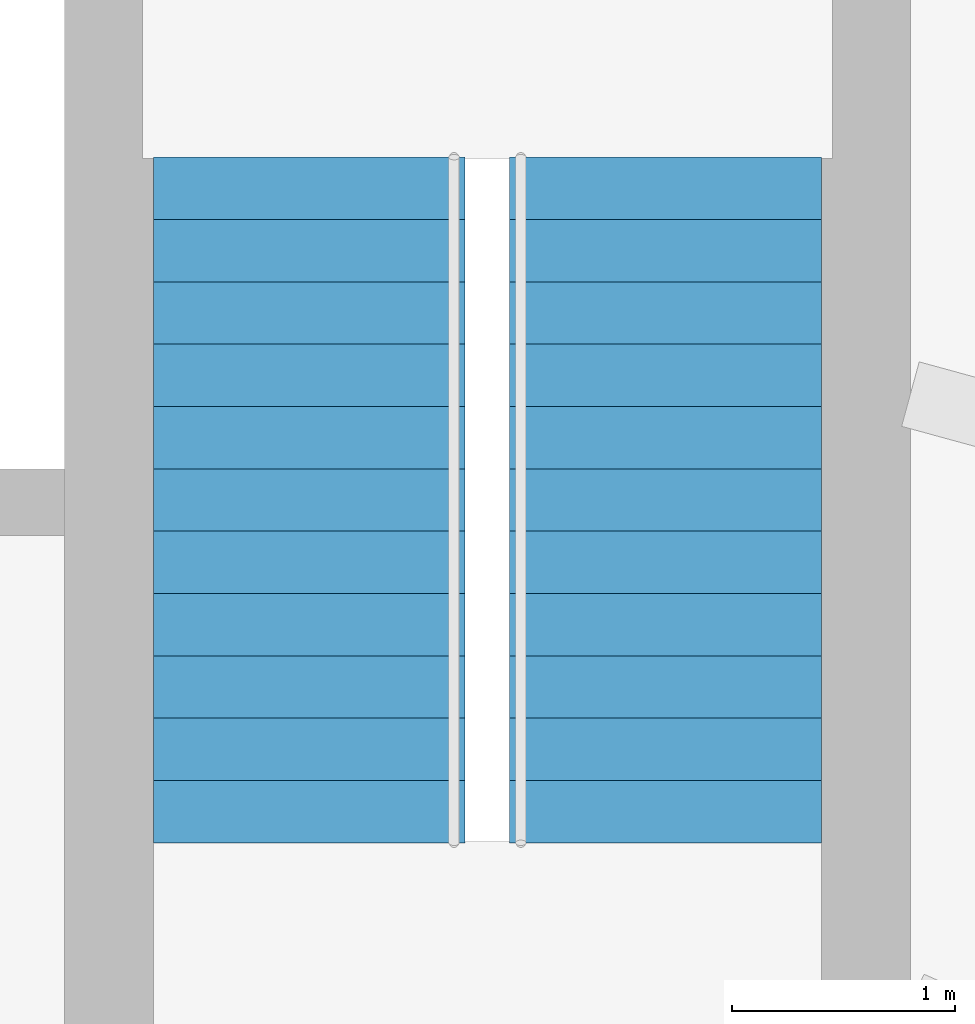
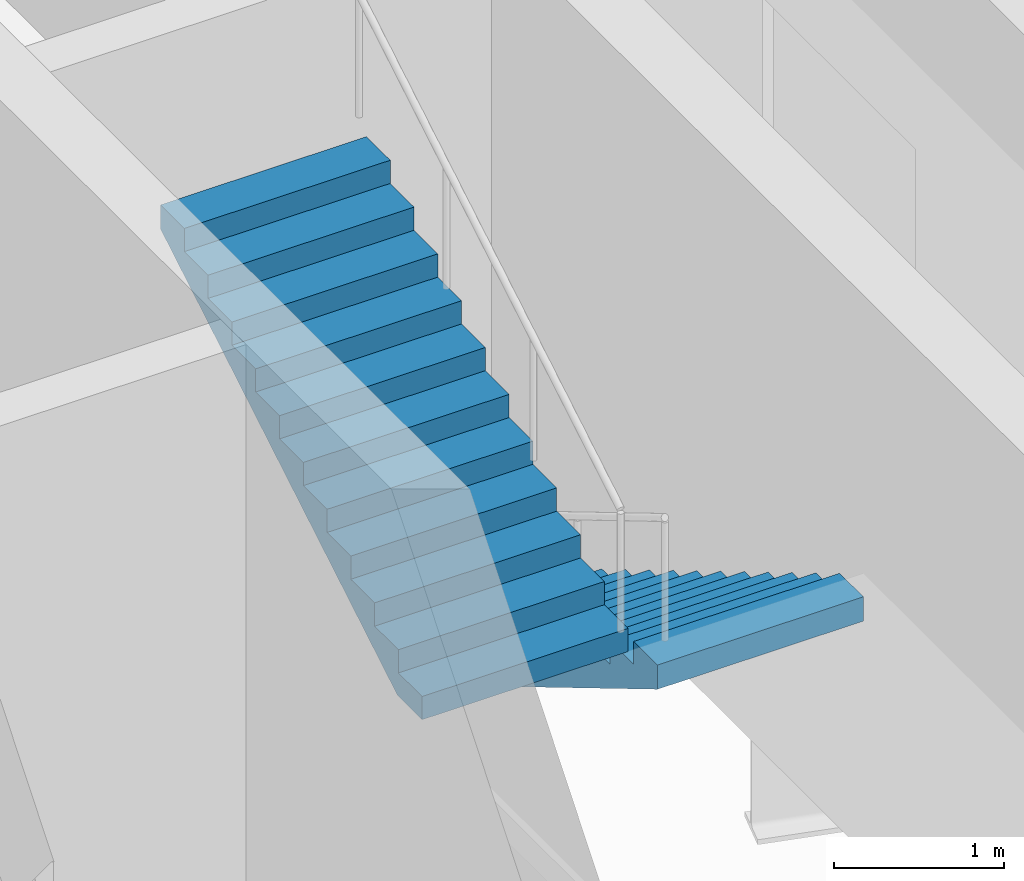
# One storey, part 6 of 7: 2 stair flights, 1 element without a shape of its own.
"""IFC4 building model written with IfcOpenShell, lengths in metres."""

from ifc_helpers import new_model, si_unit, direction, frame, origin, place, context, subcontext, project, spatial, polyline, outline, extrude, material, type_object, element, aggregate, save


model = new_model("IFC4")

# Units and contexts
model_context = context("Model", 3, precision=1e-05, world=origin(), true_north=direction((0.0, 1.0)))
body_context = subcontext(model_context, "Body", "Model", "MODEL_VIEW")
ifc_project = project(units=[si_unit("LENGTHUNIT", "METRE"), si_unit("AREAUNIT", "SQUARE_METRE"), si_unit("VOLUMEUNIT", "CUBIC_METRE"), si_unit("PLANEANGLEUNIT", "RADIAN"), si_unit("MASSUNIT", "GRAM", prefix="KILO")], contexts=[model_context])

# Site, building, storey
site_placement = place(None, origin())
site = spatial("IfcSite", under=ifc_project, at=site_placement, CompositionType="ELEMENT")
building_placement = place(site_placement, origin())
building = spatial("IfcBuilding", under=site, at=building_placement, Name="Golbaran Civic Tower", CompositionType="ELEMENT")
storey_placement = place(building_placement, frame((0.0, 0.0, 268.0)))
storey = spatial("IfcBuildingStorey", under=building, at=storey_placement, Name="L65", CompositionType="ELEMENT", Elevation=268.0)

# Stair, stair flights
ifc_material = material(Name="Concrete C35/45", Category="concrete")
stair_type = type_object("IfcStairType", Name="EXIT STAIR 3000 x 7850, 4000 RISE", PredefinedType="HALF_TURN_STAIR", material=ifc_material)
stair_placement = place(storey_placement, origin())
stair = element("IfcStair", 1, at=stair_placement, inside=storey, type_object=stair_type, Name="Stair S2 L65", PredefinedType="HALF_TURN_STAIR")
stair_flight_type = type_object("IfcStairFlightType", Name="STAIR FLIGHT 1400 WIDE", PredefinedType="STRAIGHT", material=ifc_material)
stair_flight_1_placement = place(storey_placement, frame((8.89990234375, -3.050048828125, 0.0), z_axis=(0.0, 0.0, 1.0), x_axis=(0.0, -1.0, 0.0)))
stair_flight_1 = element("IfcStairFlight", 2, at=stair_flight_1_placement, type_object=stair_flight_type, Name="ST30078-40 flight 1", NumberOfRisers=12, NumberOfTreads=11, PredefinedType="STRAIGHT", RiserHeight=0.166666667, TreadLength=0.28, context=body_context, shape_type="SweptSolid", body=[
    extrude(outline(polyline([(0.0, 0.0), (0.0, 0.166748046875), (0.280029296875, 0.166748046875), (0.280029296875, 0.333251953125), (0.56005859375, 0.333251953125), (0.56005859375, 0.5), (0.840087890625, 0.5), (0.840087890625, 0.666748046875), (1.1201171875, 0.666748046875), (1.1201171875, 0.833251953125), (1.39990234375, 0.833251953125), (1.39990234375, 1.0), (1.679931640625, 1.0), (1.679931640625, 1.166748046875), (1.9599609375, 1.166748046875), (1.9599609375, 1.333251953125), (2.239990234375, 1.333251953125), (2.239990234375, 1.5), (2.52001953125, 1.5), (2.52001953125, 1.666748046875), (2.800048828125, 1.666748046875), (2.800048828125, 1.833251953125), (3.080078125, 1.833251953125), (3.080078125, 2.0), (3.080078125, 1.658935546875), (0.29296875, 0.0), (0.0, 0.0)])), frame((0.0, 0.699951171875, 0.0), z_axis=(0.0, -1.0, 0.0), x_axis=(1.0, 0.0, 0.0)), (0.0, 0.0, 1.0), 1.39990234375),
])
stair_flight_2_placement = place(storey_placement, frame((7.300048828125, -6.1298828125, 2.0), z_axis=(0.0, 0.0, 1.0), x_axis=(0.0, 1.0, 0.0)))
stair_flight_2 = element("IfcStairFlight", 3, at=stair_flight_2_placement, type_object=stair_flight_type, Name="ST30078-40 flight 2", NumberOfRisers=12, NumberOfTreads=11, PredefinedType="STRAIGHT", RiserHeight=0.166666667, TreadLength=0.28, context=body_context, shape_type="SweptSolid", body=[
    extrude(outline(polyline([(0.0, 0.0), (0.0, 0.166748046875), (0.280029296875, 0.166748046875), (0.280029296875, 0.333251953125), (0.56005859375, 0.333251953125), (0.56005859375, 0.5), (0.840087890625, 0.5), (0.840087890625, 0.666748046875), (1.1201171875, 0.666748046875), (1.1201171875, 0.833251953125), (1.39990234375, 0.833251953125), (1.39990234375, 1.0), (1.679931640625, 1.0), (1.679931640625, 1.166748046875), (1.9599609375, 1.166748046875), (1.9599609375, 1.333251953125), (2.239990234375, 1.333251953125), (2.239990234375, 1.5), (2.52001953125, 1.5), (2.52001953125, 1.666748046875), (2.800048828125, 1.666748046875), (2.800048828125, 1.833251953125), (3.080078125, 1.833251953125), (3.080078125, 2.0), (3.080078125, 1.658935546875), (0.29296875, 0.0), (0.0, 0.0)])), frame((0.0, 0.699951171875, 0.0), z_axis=(0.0, -1.0, 0.0), x_axis=(1.0, 0.0, 0.0)), (0.0, 0.0, 1.0), 1.39990234375),
])
aggregate(stair, [stair_flight_1, stair_flight_2])

save(model, "model.ifc")
